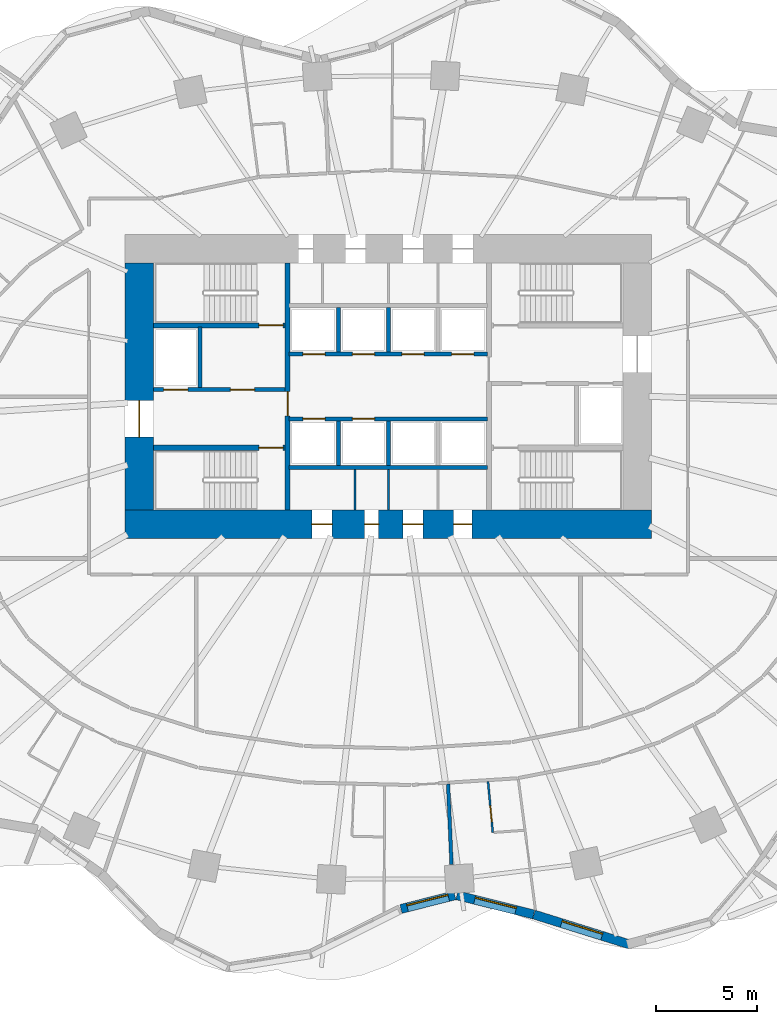
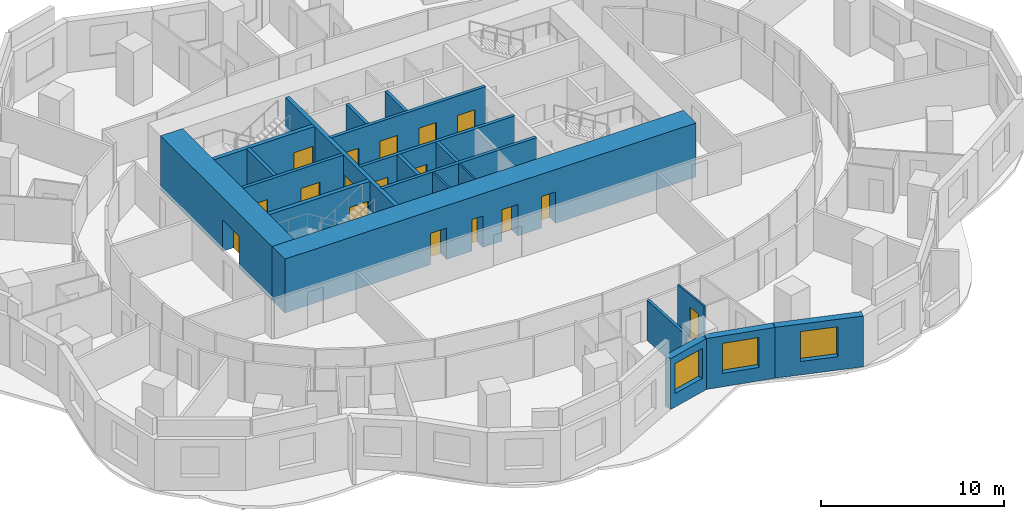
# One storey, part 5 of 11: 21 walls, 17 doors, 3 windows, 20 openings.
"""IFC4 building model written with IfcOpenShell, lengths in metres."""

from ifc_helpers import new_model, si_unit, direction, frame, frame_2d, origin, place, context, subcontext, project, spatial, rectangle, extrude, material, layer, layer_set, type_object, element, fill, save


model = new_model("IFC4")

# Units and contexts
model_context = context("Model", 3, precision=1e-05, world=origin(), true_north=direction((0.0, 1.0)))
body_context = subcontext(model_context, "Body", "Model", "MODEL_VIEW")
ifc_project = project(units=[si_unit("LENGTHUNIT", "METRE"), si_unit("AREAUNIT", "SQUARE_METRE"), si_unit("VOLUMEUNIT", "CUBIC_METRE"), si_unit("PLANEANGLEUNIT", "RADIAN"), si_unit("MASSUNIT", "GRAM", prefix="KILO")], contexts=[model_context])

# Site, building, storey
site_placement = place(None, origin())
site = spatial("IfcSite", under=ifc_project, at=site_placement, CompositionType="ELEMENT")
building_placement = place(site_placement, origin())
building = spatial("IfcBuilding", under=site, at=building_placement, Name="Rubra Terraces Tower", CompositionType="ELEMENT")
storey_placement = place(building_placement, frame((0.0, 0.0, 48.300048828125)))
storey = spatial("IfcBuildingStorey", under=building, at=storey_placement, Name="L09", CompositionType="ELEMENT", Elevation=48.300048828125)

# Wall
ifc_material_1 = material(Name="Twin plasterboard on staggered steel stud, acoustic mineral wool", Category="steel")
ifc_layer_1 = layer(ifc_material_1, 0.175048828125)
ifc_layer_set_1 = layer_set([ifc_layer_1], Name="Twin plasterboard on staggered steel stud, acoustic mineral wool")
wall_type_1 = type_object("IfcWallType", Name="ACOUSTIC PARTY WALL 175", PredefinedType="PARTITIONING", material=ifc_layer_set_1)
wall_1_placement = place(storey_placement, frame((3.12451171875, -19.126953125, 0.0), z_axis=(0.0, 0.0, 1.0), x_axis=(-0.042225344391, 0.999108112414, 0.0)))
element("IfcWall", 1, at=wall_1_placement, inside=storey, type_object=wall_type_1, Name="PARTITION", PredefinedType="PARTITIONING", context=body_context, shape_type="SweptSolid", body=[
    extrude(rectangle(XDim=3.97802734375, YDim=0.175048828125, at=frame_2d((1.989013671875, 0.0))), origin(), (0.0, 0.0, 1.0), 2.679931640625),
])

# Wall, opening, window
ifc_material_2 = material(Name="Brick masonry red-brown", Category="masonry")
ifc_layer_2 = layer(ifc_material_2, 0.449951171875)
ifc_layer_set_2 = layer_set([ifc_layer_2], Name="Brick masonry red-brown")
wall_type_2 = type_object("IfcWallType", Name="Brick facade wall 450", PredefinedType="SOLIDWALL", material=ifc_layer_set_2)
wall_2_placement = place(storey_placement, frame((0.62841796875, -21.318603515625, 0.0), z_axis=(0.0, 0.0, 1.0), x_axis=(0.969240543873, 0.246115355295, 0.0)))
wall_2 = element("IfcWall", 2, at=wall_2_placement, inside=storey, type_object=wall_type_2, Name="Facade wall L09 bay 31", PredefinedType="SOLIDWALL", context=body_context, shape_type="SweptSolid", body=[
    extrude(rectangle(XDim=2.742919921875, YDim=0.449951171875, at=frame_2d((1.37158203125, 0.0))), origin(), (0.0, 0.0, 1.0), 3.39990234375),
])
opening_1_placement = place(wall_2_placement, frame((0.3212890625, 0.0, 0.89990234375)))
opening_1 = element("IfcOpeningElement", 3, at=opening_1_placement, cuts=wall_2, Name="Opening W1", PredefinedType="OPENING", context=body_context, shape_type="SweptSolid", body=[
    extrude(rectangle(XDim=2.10009765625, YDim=2.0, at=frame_2d((1.050048828125, 1.0))), frame((0.0, 0.23486328125, 0.0), z_axis=(0.0, -1.0, 0.0), x_axis=(1.0, 0.0, 0.0)), (0.0, 0.0, 1.0), 0.469970703125),
])
ifc_material_3 = material(Name="Clear glass in aluminium frame", Category="aluminium")
window_type = type_object("IfcWindowType", Name="Fixed deep-set window 2100 x 2000", PartitioningType="SINGLE_PANEL", PredefinedType="WINDOW", material=ifc_material_3)
window_1_placement = place(opening_1_placement, origin())
window_1 = element("IfcWindow", 4, at=window_1_placement, inside=storey, type_object=window_type, Name="Window L09 bay 31", OverallHeight=2.0, OverallWidth=2.10009765625, PartitioningType="SINGLE_PANEL", PredefinedType="WINDOW", context=body_context, shape_type="SweptSolid", body=[
    extrude(rectangle(XDim=2.10009765625, YDim=2.0, at=frame_2d((1.050048828125, 1.0))), frame((0.0, 0.135009765625, 0.0), z_axis=(0.0, -1.0, 0.0), x_axis=(1.0, 0.0, 0.0)), (0.0, 0.0, 1.0), 0.06005859375),
])
fill(opening_1, window_1)

wall_3_placement = place(storey_placement, frame((3.39208984375, -20.64208984375, 0.0), z_axis=(0.0, 0.0, 1.0), x_axis=(0.970168229467, -0.242432684539, 0.0)))
wall_3 = element("IfcWall", 5, at=wall_3_placement, inside=storey, type_object=wall_type_2, Name="Facade wall L09 bay 32", PredefinedType="SOLIDWALL", context=body_context, shape_type="SweptSolid", body=[
    extrude(rectangle(XDim=3.90625, YDim=0.449951171875, at=frame_2d((1.953125, 0.0))), origin(), (0.0, 0.0, 1.0), 3.39990234375),
])
opening_2_placement = place(wall_3_placement, frame((0.9033203125, 0.0, 0.89990234375)))
opening_2 = element("IfcOpeningElement", 6, at=opening_2_placement, cuts=wall_3, Name="Opening W1", PredefinedType="OPENING", context=body_context, shape_type="SweptSolid", body=[
    extrude(rectangle(XDim=2.10009765625, YDim=2.0, at=frame_2d((1.050048828125, 1.0))), frame((0.0, 0.23486328125, 0.0), z_axis=(0.0, -1.0, 0.0), x_axis=(1.0, 0.0, 0.0)), (0.0, 0.0, 1.0), 0.469970703125),
])
window_2_placement = place(opening_2_placement, origin())
window_2 = element("IfcWindow", 7, at=window_2_placement, inside=storey, type_object=window_type, Name="Window L09 bay 32", OverallHeight=2.0, OverallWidth=2.10009765625, PartitioningType="SINGLE_PANEL", PredefinedType="WINDOW", context=body_context, shape_type="SweptSolid", body=[
    extrude(rectangle(XDim=2.10009765625, YDim=2.0, at=frame_2d((1.050048828125, 1.0))), frame((0.0, 0.135009765625, 0.0), z_axis=(0.0, -1.0, 0.0), x_axis=(1.0, 0.0, 0.0)), (0.0, 0.0, 1.0), 0.06005859375),
])
fill(opening_2, window_2)

wall_4_placement = place(storey_placement, frame((7.195556640625, -21.592529296875, 0.0), z_axis=(0.0, 0.0, 1.0), x_axis=(0.954471218741, -0.298303021432, 0.0)))
wall_4 = element("IfcWall", 8, at=wall_4_placement, inside=storey, type_object=wall_type_2, Name="Facade wall L09 bay 33", PredefinedType="SOLIDWALL", context=body_context, shape_type="SweptSolid", body=[
    extrude(rectangle(XDim=4.959716796875, YDim=0.449951171875, at=frame_2d((2.47998046875, 0.0))), origin(), (0.0, 0.0, 1.0), 3.39990234375),
])
opening_3_placement = place(wall_4_placement, frame((1.4296875, 0.0, 0.89990234375)))
opening_3 = element("IfcOpeningElement", 9, at=opening_3_placement, cuts=wall_4, Name="Opening W1", PredefinedType="OPENING", context=body_context, shape_type="SweptSolid", body=[
    extrude(rectangle(XDim=2.10009765625, YDim=2.0, at=frame_2d((1.050048828125, 1.0))), frame((0.0, 0.23486328125, 0.0), z_axis=(0.0, -1.0, 0.0), x_axis=(1.0, 0.0, 0.0)), (0.0, 0.0, 1.0), 0.469970703125),
])
window_3_placement = place(opening_3_placement, origin())
window_3 = element("IfcWindow", 10, at=window_3_placement, inside=storey, type_object=window_type, Name="Window L09 bay 33", OverallHeight=2.0, OverallWidth=2.10009765625, PartitioningType="SINGLE_PANEL", PredefinedType="WINDOW", context=body_context, shape_type="SweptSolid", body=[
    extrude(rectangle(XDim=2.10009765625, YDim=2.0, at=frame_2d((1.050048828125, 1.0))), frame((0.0, 0.135009765625, 0.0), z_axis=(0.0, -1.0, 0.0), x_axis=(1.0, 0.0, 0.0)), (0.0, 0.0, 1.0), 0.06005859375),
])
fill(opening_3, window_3)

# Wall, openings, doors
ifc_material_4 = material(Name="Concrete C70", Category="concrete")
ifc_layer_3 = layer(ifc_material_4, 1.39990234375)
ifc_layer_set_3 = layer_set([ifc_layer_3], Name="Concrete C70")
wall_type_3 = type_object("IfcWallType", Name="CORE WALL 1400 C70", PredefinedType="SHEAR", material=ifc_layer_set_3)
wall_5_placement = place(storey_placement, frame((-13.0, -2.300048828125, 0.0), z_axis=(0.0, 0.0, 1.0), x_axis=(1.0, 0.0, 0.0)))
wall_5 = element("IfcWall", 11, at=wall_5_placement, inside=storey, type_object=wall_type_3, Name="CORE WALL S L09", PredefinedType="SHEAR", context=body_context, shape_type="SweptSolid", body=[
    extrude(rectangle(XDim=26.0, YDim=1.39990234375, at=frame_2d((13.0, 0.0))), origin(), (0.0, 0.0, 1.0), 3.599853515625),
])
opening_4_placement = place(wall_5_placement, frame((9.22509765625, 0.0, 0.0)))
opening_4 = element("IfcOpeningElement", 12, at=opening_4_placement, cuts=wall_5, Name="Opening L09.C19", PredefinedType="OPENING", context=body_context, shape_type="SweptSolid", body=[
    extrude(rectangle(XDim=1.0, YDim=2.10009765625, at=frame_2d((0.5, 1.050048828125))), frame((0.0, 0.7099609375, 0.0), z_axis=(0.0, -1.0, 0.0), x_axis=(1.0, 0.0, 0.0)), (0.0, 0.0, 1.0), 1.419921875),
])
opening_5_placement = place(wall_5_placement, frame((11.824951171875, 0.0, 0.0)))
opening_5 = element("IfcOpeningElement", 13, at=opening_5_placement, cuts=wall_5, Name="Opening L09.C20", PredefinedType="OPENING", context=body_context, shape_type="SweptSolid", body=[
    extrude(rectangle(XDim=0.699951171875, YDim=2.10009765625, at=frame_2d((0.35009765625, 1.050048828125))), frame((0.0, 0.7099609375, 0.0), z_axis=(0.0, -1.0, 0.0), x_axis=(1.0, 0.0, 0.0)), (0.0, 0.0, 1.0), 1.419921875),
])
opening_6_placement = place(wall_5_placement, frame((13.72509765625, 0.0, 0.0)))
opening_6 = element("IfcOpeningElement", 14, at=opening_6_placement, cuts=wall_5, Name="Opening L09.C21", PredefinedType="OPENING", context=body_context, shape_type="SweptSolid", body=[
    extrude(rectangle(XDim=1.0, YDim=2.10009765625, at=frame_2d((0.5, 1.050048828125))), frame((0.0, 0.7099609375, 0.0), z_axis=(0.0, -1.0, 0.0), x_axis=(1.0, 0.0, 0.0)), (0.0, 0.0, 1.0), 1.419921875),
])
opening_7_placement = place(wall_5_placement, frame((16.22509765625, 0.0, 0.0)))
opening_7 = element("IfcOpeningElement", 15, at=opening_7_placement, cuts=wall_5, Name="Opening L09.C22", PredefinedType="OPENING", context=body_context, shape_type="SweptSolid", body=[
    extrude(rectangle(XDim=0.89990234375, YDim=2.10009765625, at=frame_2d((0.449951171875, 1.050048828125))), frame((0.0, 0.7099609375, 0.0), z_axis=(0.0, -1.0, 0.0), x_axis=(1.0, 0.0, 0.0)), (0.0, 0.0, 1.0), 1.419921875),
])
ifc_material_5 = material(Name="Painted steel", Category="steel")
door_type_1 = type_object("IfcDoorType", Name="Fire door 1000x2100 single", OperationType="NOTDEFINED", PredefinedType="DOOR", material=ifc_material_5)
door_1_placement = place(opening_4_placement, origin())
door_1 = element("IfcDoor", 16, at=door_1_placement, inside=storey, type_object=door_type_1, Name="Linen store door", OperationType="SINGLE_SWING_LEFT", OverallHeight=2.10009765625, OverallWidth=1.0, PredefinedType="DOOR", context=body_context, shape_type="SweptSolid", body=[
    extrude(rectangle(XDim=1.0, YDim=2.10009765625, at=frame_2d((0.5, 1.050048828125))), frame((0.0, 0.02490234375, 0.0), z_axis=(0.0, -1.0, 0.0), x_axis=(1.0, 0.0, 0.0)), (0.0, 0.0, 1.0), 0.050048828125),
])
fill(opening_4, door_1)
door_2_placement = place(opening_6_placement, origin())
door_2 = element("IfcDoor", 17, at=door_2_placement, inside=storey, type_object=door_type_1, Name="Ice and vending room door", OperationType="SINGLE_SWING_LEFT", OverallHeight=2.10009765625, OverallWidth=1.0, PredefinedType="DOOR", context=body_context, shape_type="SweptSolid", body=[
    extrude(rectangle(XDim=1.0, YDim=2.10009765625, at=frame_2d((0.5, 1.050048828125))), frame((0.0, 0.02490234375, 0.0), z_axis=(0.0, -1.0, 0.0), x_axis=(1.0, 0.0, 0.0)), (0.0, 0.0, 1.0), 0.050048828125),
])
fill(opening_6, door_2)
door_type_2 = type_object("IfcDoorType", Name="Fire door 900x2100 single", OperationType="NOTDEFINED", PredefinedType="DOOR", material=ifc_material_5)
door_3_placement = place(opening_7_placement, origin())
door_3 = element("IfcDoor", 18, at=door_3_placement, inside=storey, type_object=door_type_2, Name="Cleaner's store door", OperationType="SINGLE_SWING_RIGHT", OverallHeight=2.10009765625, OverallWidth=0.89990234375, PredefinedType="DOOR", context=body_context, shape_type="SweptSolid", body=[
    extrude(rectangle(XDim=0.89990234375, YDim=2.10009765625, at=frame_2d((0.449951171875, 1.050048828125))), frame((0.0, 0.02490234375, 0.0), z_axis=(0.0, -1.0, 0.0), x_axis=(1.0, 0.0, 0.0)), (0.0, 0.0, 1.0), 0.050048828125),
])
fill(opening_7, door_3)
door_type_3 = type_object("IfcDoorType", Name="Riser access door 700x2100 single", OperationType="NOTDEFINED", PredefinedType="DOOR", material=ifc_material_5)
door_4_placement = place(opening_5_placement, origin())
door_4 = element("IfcDoor", 19, at=door_4_placement, inside=storey, type_object=door_type_3, Name="Telecoms room door", OperationType="SINGLE_SWING_RIGHT", OverallHeight=2.10009765625, OverallWidth=0.699951171875, PredefinedType="DOOR", context=body_context, shape_type="SweptSolid", body=[
    extrude(rectangle(XDim=0.699951171875, YDim=2.10009765625, at=frame_2d((0.35009765625, 1.050048828125))), frame((0.0, 0.02490234375, 0.0), z_axis=(0.0, -1.0, 0.0), x_axis=(1.0, 0.0, 0.0)), (0.0, 0.0, 1.0), 0.050048828125),
])
fill(opening_5, door_4)

# Wall, opening, door
wall_6_placement = place(storey_placement, frame((-12.300048828125, -1.60009765625, 0.0), z_axis=(0.0, 0.0, 1.0), x_axis=(0.0, 1.0, 0.0)))
wall_6 = element("IfcWall", 20, at=wall_6_placement, inside=storey, type_object=wall_type_3, Name="CORE WALL W L09", PredefinedType="SHEAR", context=body_context, shape_type="SweptSolid", body=[
    extrude(rectangle(XDim=12.2001953125, YDim=1.39990234375, at=frame_2d((6.10009765625, 0.0))), origin(), (0.0, 0.0, 1.0), 3.599853515625),
])
opening_8_placement = place(wall_6_placement, frame((3.60009765625, 0.0, 0.0)))
opening_8 = element("IfcOpeningElement", 21, at=opening_8_placement, cuts=wall_6, Name="Opening L09.C01", PredefinedType="OPENING", context=body_context, shape_type="SweptSolid", body=[
    extrude(rectangle(XDim=1.800048828125, YDim=2.10009765625, at=frame_2d((0.89990234375, 1.050048828125))), frame((0.0, 0.7099609375, 0.0), z_axis=(0.0, -1.0, 0.0), x_axis=(1.0, 0.0, 0.0)), (0.0, 0.0, 1.0), 1.419921875),
])
door_type_4 = type_object("IfcDoorType", Name="Fire door 1800x2100 double", OperationType="NOTDEFINED", PredefinedType="DOOR", material=ifc_material_5)
door_5_placement = place(opening_8_placement, origin())
door_5 = element("IfcDoor", 22, at=door_5_placement, inside=storey, type_object=door_type_4, Name="Core entrance door FF1", OperationType="DOUBLE_DOOR_SINGLE_SWING", OverallHeight=2.10009765625, OverallWidth=1.800048828125, PredefinedType="DOOR", context=body_context, shape_type="SweptSolid", body=[
    extrude(rectangle(XDim=1.800048828125, YDim=2.10009765625, at=frame_2d((0.89990234375, 1.050048828125))), frame((0.0, 0.02490234375, 0.0), z_axis=(0.0, -1.0, 0.0), x_axis=(1.0, 0.0, 0.0)), (0.0, 0.0, 1.0), 0.050048828125),
])
fill(opening_8, door_5)

# Wall, openings, doors
ifc_material_6 = material(Name="Concrete C30", Category="concrete")
ifc_layer_4 = layer(ifc_material_6, 0.199951171875)
ifc_layer_set_4 = layer_set([ifc_layer_4], Name="Concrete C30")
wall_type_4 = type_object("IfcWallType", Name="Core wall 200 concrete", PredefinedType="SOLIDWALL", material=ifc_layer_set_4)
wall_7_placement = place(storey_placement, frame((-11.60009765625, 4.35009765625, 0.0), z_axis=(0.0, 0.0, 1.0), x_axis=(1.0, 0.0, 0.0)))
wall_7 = element("IfcWall", 23, at=wall_7_placement, inside=storey, type_object=wall_type_4, Name="STAIR WALL L09", PredefinedType="SOLIDWALL", context=body_context, shape_type="SweptSolid", body=[
    extrude(rectangle(XDim=6.5, YDim=0.199951171875, at=frame_2d((3.25, 0.0))), origin(), (0.0, 0.0, 1.0), 3.39990234375),
])
opening_9_placement = place(wall_7_placement, frame((3.800048828125, 0.0, 0.0)))
opening_9 = element("IfcOpeningElement", 24, at=opening_9_placement, cuts=wall_7, Name="Opening L09.C05", PredefinedType="OPENING", context=body_context, shape_type="SweptSolid", body=[
    extrude(rectangle(XDim=1.199951171875, YDim=2.10009765625, at=frame_2d((0.60009765625, 1.050048828125))), frame((0.0, 0.10986328125, 0.0), z_axis=(0.0, -1.0, 0.0), x_axis=(1.0, 0.0, 0.0)), (0.0, 0.0, 1.0), 0.219970703125),
])
opening_10_placement = place(wall_7_placement, frame((0.5, 0.0, 0.0)))
opening_10 = element("IfcOpeningElement", 25, at=opening_10_placement, cuts=wall_7, Name="Opening L09.C11", PredefinedType="OPENING", context=body_context, shape_type="SweptSolid", body=[
    extrude(rectangle(XDim=1.199951171875, YDim=2.10009765625, at=frame_2d((0.60009765625, 1.050048828125))), frame((0.0, 0.10986328125, 0.0), z_axis=(0.0, -1.0, 0.0), x_axis=(1.0, 0.0, 0.0)), (0.0, 0.0, 1.0), 0.219970703125),
])
door_type_5 = type_object("IfcDoorType", Name="Fire door 1200x2100 single", OperationType="NOTDEFINED", PredefinedType="DOOR", material=ifc_material_5)
door_6_placement = place(opening_9_placement, origin())
door_6 = element("IfcDoor", 26, at=door_6_placement, inside=storey, type_object=door_type_5, Name="Stair vestibule door S2", OperationType="SINGLE_SWING_LEFT", OverallHeight=2.10009765625, OverallWidth=1.199951171875, PredefinedType="DOOR", context=body_context, shape_type="SweptSolid", body=[
    extrude(rectangle(XDim=1.199951171875, YDim=2.10009765625, at=frame_2d((0.60009765625, 1.050048828125))), frame((0.0, 0.02490234375, 0.0), z_axis=(0.0, -1.0, 0.0), x_axis=(1.0, 0.0, 0.0)), (0.0, 0.0, 1.0), 0.050048828125),
])
fill(opening_9, door_6)
ifc_material_7 = material(Name="Stainless steel", Category="steel")
door_type_6 = type_object("IfcDoorType", Name="Lift landing door 1200x2100", OperationType="NOTDEFINED", PredefinedType="DOOR", material=ifc_material_7)
door_7_placement = place(opening_10_placement, origin())
door_7 = element("IfcDoor", 27, at=door_7_placement, inside=storey, type_object=door_type_6, Name="Landing door FF1", OperationType="SLIDING_TO_RIGHT", OverallHeight=2.10009765625, OverallWidth=1.199951171875, PredefinedType="DOOR", context=body_context, shape_type="SweptSolid", body=[
    extrude(rectangle(XDim=1.199951171875, YDim=2.10009765625, at=frame_2d((0.60009765625, 1.050048828125))), frame((0.0, 0.02490234375, 0.0), z_axis=(0.0, -1.0, 0.0), x_axis=(1.0, 0.0, 0.0)), (0.0, 0.0, 1.0), 0.050048828125),
])
fill(opening_10, door_7)

# Walls
wall_8_placement = place(storey_placement, frame((-9.300048828125, 4.449951171875, 0.0), z_axis=(0.0, 0.0, 1.0), x_axis=(0.0, 1.0, 0.0)))
element("IfcWall", 28, at=wall_8_placement, inside=storey, type_object=wall_type_4, Name="STAIR WALL L09", PredefinedType="SOLIDWALL", context=body_context, shape_type="SweptSolid", body=[
    extrude(rectangle(XDim=3.0, YDim=0.199951171875, at=frame_2d((1.5, 0.0))), origin(), (0.0, 0.0, 1.0), 3.39990234375),
])
wall_9_placement = place(storey_placement, frame((-4.89990234375, 0.5, 0.0), z_axis=(0.0, 0.0, 1.0), x_axis=(1.0, 0.0, 0.0)))
element("IfcWall", 29, at=wall_9_placement, inside=storey, type_object=wall_type_4, Name="LIFT SHAFT WALL L09", PredefinedType="SOLIDWALL", context=body_context, shape_type="SweptSolid", body=[
    extrude(rectangle(XDim=9.7998046875, YDim=0.199951171875, at=frame_2d((4.89990234375, 0.0))), origin(), (0.0, 0.0, 1.0), 3.39990234375),
])

# Wall, openings, doors
wall_10_placement = place(storey_placement, frame((-4.89990234375, 2.89990234375, 0.0), z_axis=(0.0, 0.0, 1.0), x_axis=(1.0, 0.0, 0.0)))
wall_10 = element("IfcWall", 30, at=wall_10_placement, inside=storey, type_object=wall_type_4, Name="LIFT SHAFT WALL L09", PredefinedType="SOLIDWALL", context=body_context, shape_type="SweptSolid", body=[
    extrude(rectangle(XDim=9.7998046875, YDim=0.199951171875, at=frame_2d((4.89990234375, 0.0))), origin(), (0.0, 0.0, 1.0), 3.39990234375),
])
opening_11_placement = place(wall_10_placement, frame((0.675048828125, 0.0, 0.0)))
opening_11 = element("IfcOpeningElement", 31, at=opening_11_placement, cuts=wall_10, Name="Opening L09.C13", PredefinedType="OPENING", context=body_context, shape_type="SweptSolid", body=[
    extrude(rectangle(XDim=1.10009765625, YDim=2.10009765625, at=frame_2d((0.550048828125, 1.050048828125))), frame((0.0, 0.10986328125, 0.0), z_axis=(0.0, -1.0, 0.0), x_axis=(1.0, 0.0, 0.0)), (0.0, 0.0, 1.0), 0.219970703125),
])
opening_12_placement = place(wall_10_placement, frame((3.125, 0.0, 0.0)))
opening_12 = element("IfcOpeningElement", 32, at=opening_12_placement, cuts=wall_10, Name="Opening L09.C14", PredefinedType="OPENING", context=body_context, shape_type="SweptSolid", body=[
    extrude(rectangle(XDim=1.10009765625, YDim=2.10009765625, at=frame_2d((0.550048828125, 1.050048828125))), frame((0.0, 0.10986328125, 0.0), z_axis=(0.0, -1.0, 0.0), x_axis=(1.0, 0.0, 0.0)), (0.0, 0.0, 1.0), 0.219970703125),
])
door_type_7 = type_object("IfcDoorType", Name="Lift landing door 1100x2100", OperationType="NOTDEFINED", PredefinedType="DOOR", material=ifc_material_7)
door_8_placement = place(opening_11_placement, origin())
door_8 = element("IfcDoor", 33, at=door_8_placement, inside=storey, type_object=door_type_7, Name="Landing door LB1", OperationType="SLIDING_TO_RIGHT", OverallHeight=2.10009765625, OverallWidth=1.10009765625, PredefinedType="DOOR", context=body_context, shape_type="SweptSolid", body=[
    extrude(rectangle(XDim=1.10009765625, YDim=2.10009765625, at=frame_2d((0.550048828125, 1.050048828125))), frame((0.0, 0.02490234375, 0.0), z_axis=(0.0, -1.0, 0.0), x_axis=(1.0, 0.0, 0.0)), (0.0, 0.0, 1.0), 0.050048828125),
])
fill(opening_11, door_8)
door_9_placement = place(opening_12_placement, origin())
door_9 = element("IfcDoor", 34, at=door_9_placement, inside=storey, type_object=door_type_7, Name="Landing door LB2", OperationType="SLIDING_TO_LEFT", OverallHeight=2.10009765625, OverallWidth=1.10009765625, PredefinedType="DOOR", context=body_context, shape_type="SweptSolid", body=[
    extrude(rectangle(XDim=1.10009765625, YDim=2.10009765625, at=frame_2d((0.550048828125, 1.050048828125))), frame((0.0, 0.02490234375, 0.0), z_axis=(0.0, -1.0, 0.0), x_axis=(1.0, 0.0, 0.0)), (0.0, 0.0, 1.0), 0.050048828125),
])
fill(opening_12, door_9)

wall_11_placement = place(storey_placement, frame((-4.89990234375, 6.10009765625, 0.0), z_axis=(0.0, 0.0, 1.0), x_axis=(1.0, 0.0, 0.0)))
wall_11 = element("IfcWall", 35, at=wall_11_placement, inside=storey, type_object=wall_type_4, Name="LIFT SHAFT WALL L09", PredefinedType="SOLIDWALL", context=body_context, shape_type="SweptSolid", body=[
    extrude(rectangle(XDim=9.7998046875, YDim=0.199951171875, at=frame_2d((4.89990234375, 0.0))), origin(), (0.0, 0.0, 1.0), 3.39990234375),
])
opening_13_placement = place(wall_11_placement, frame((0.675048828125, 0.0, 0.0)))
opening_13 = element("IfcOpeningElement", 36, at=opening_13_placement, cuts=wall_11, Name="Opening L09.C15", PredefinedType="OPENING", context=body_context, shape_type="SweptSolid", body=[
    extrude(rectangle(XDim=1.10009765625, YDim=2.10009765625, at=frame_2d((0.550048828125, 1.050048828125))), frame((0.0, 0.10986328125, 0.0), z_axis=(0.0, -1.0, 0.0), x_axis=(1.0, 0.0, 0.0)), (0.0, 0.0, 1.0), 0.219970703125),
])
opening_14_placement = place(wall_11_placement, frame((3.125, 0.0, 0.0)))
opening_14 = element("IfcOpeningElement", 37, at=opening_14_placement, cuts=wall_11, Name="Opening L09.C16", PredefinedType="OPENING", context=body_context, shape_type="SweptSolid", body=[
    extrude(rectangle(XDim=1.10009765625, YDim=2.10009765625, at=frame_2d((0.550048828125, 1.050048828125))), frame((0.0, 0.10986328125, 0.0), z_axis=(0.0, -1.0, 0.0), x_axis=(1.0, 0.0, 0.0)), (0.0, 0.0, 1.0), 0.219970703125),
])
opening_15_placement = place(wall_11_placement, frame((5.574951171875, 0.0, 0.0)))
opening_15 = element("IfcOpeningElement", 38, at=opening_15_placement, cuts=wall_11, Name="Opening L09.C17", PredefinedType="OPENING", context=body_context, shape_type="SweptSolid", body=[
    extrude(rectangle(XDim=1.10009765625, YDim=2.10009765625, at=frame_2d((0.550048828125, 1.050048828125))), frame((0.0, 0.10986328125, 0.0), z_axis=(0.0, -1.0, 0.0), x_axis=(1.0, 0.0, 0.0)), (0.0, 0.0, 1.0), 0.219970703125),
])
opening_16_placement = place(wall_11_placement, frame((8.02490234375, 0.0, 0.0)))
opening_16 = element("IfcOpeningElement", 39, at=opening_16_placement, cuts=wall_11, Name="Opening L09.C18", PredefinedType="OPENING", context=body_context, shape_type="SweptSolid", body=[
    extrude(rectangle(XDim=1.10009765625, YDim=2.10009765625, at=frame_2d((0.550048828125, 1.050048828125))), frame((0.0, 0.10986328125, 0.0), z_axis=(0.0, -1.0, 0.0), x_axis=(1.0, 0.0, 0.0)), (0.0, 0.0, 1.0), 0.219970703125),
])
door_10_placement = place(opening_13_placement, origin())
door_10 = element("IfcDoor", 40, at=door_10_placement, inside=storey, type_object=door_type_7, Name="Landing door LB3", OperationType="SLIDING_TO_RIGHT", OverallHeight=2.10009765625, OverallWidth=1.10009765625, PredefinedType="DOOR", context=body_context, shape_type="SweptSolid", body=[
    extrude(rectangle(XDim=1.10009765625, YDim=2.10009765625, at=frame_2d((0.550048828125, 1.050048828125))), frame((0.0, 0.02490234375, 0.0), z_axis=(0.0, -1.0, 0.0), x_axis=(1.0, 0.0, 0.0)), (0.0, 0.0, 1.0), 0.050048828125),
])
fill(opening_13, door_10)
door_11_placement = place(opening_14_placement, origin())
door_11 = element("IfcDoor", 41, at=door_11_placement, inside=storey, type_object=door_type_7, Name="Landing door LB4", OperationType="SLIDING_TO_LEFT", OverallHeight=2.10009765625, OverallWidth=1.10009765625, PredefinedType="DOOR", context=body_context, shape_type="SweptSolid", body=[
    extrude(rectangle(XDim=1.10009765625, YDim=2.10009765625, at=frame_2d((0.550048828125, 1.050048828125))), frame((0.0, 0.02490234375, 0.0), z_axis=(0.0, -1.0, 0.0), x_axis=(1.0, 0.0, 0.0)), (0.0, 0.0, 1.0), 0.050048828125),
])
fill(opening_14, door_11)
door_12_placement = place(opening_15_placement, origin())
door_12 = element("IfcDoor", 42, at=door_12_placement, inside=storey, type_object=door_type_7, Name="Landing door LB5", OperationType="SLIDING_TO_RIGHT", OverallHeight=2.10009765625, OverallWidth=1.10009765625, PredefinedType="DOOR", context=body_context, shape_type="SweptSolid", body=[
    extrude(rectangle(XDim=1.10009765625, YDim=2.10009765625, at=frame_2d((0.550048828125, 1.050048828125))), frame((0.0, 0.02490234375, 0.0), z_axis=(0.0, -1.0, 0.0), x_axis=(1.0, 0.0, 0.0)), (0.0, 0.0, 1.0), 0.050048828125),
])
fill(opening_15, door_12)
door_13_placement = place(opening_16_placement, origin())
door_13 = element("IfcDoor", 43, at=door_13_placement, inside=storey, type_object=door_type_7, Name="Landing door LB6", OperationType="SLIDING_TO_LEFT", OverallHeight=2.10009765625, OverallWidth=1.10009765625, PredefinedType="DOOR", context=body_context, shape_type="SweptSolid", body=[
    extrude(rectangle(XDim=1.10009765625, YDim=2.10009765625, at=frame_2d((0.550048828125, 1.050048828125))), frame((0.0, 0.02490234375, 0.0), z_axis=(0.0, -1.0, 0.0), x_axis=(1.0, 0.0, 0.0)), (0.0, 0.0, 1.0), 0.050048828125),
])
fill(opening_16, door_13)

# Walls
for number, where, z_axis, x_axis, name in (
    (44, (-2.449951171875, 0.60009765625, 0.0), (0.0, 0.0, 1.0), (0.0, 1.0, 0.0), "LIFT SHAFT WALL L09"),
    (45, (0.0, 0.60009765625, 0.0), (0.0, 0.0, 1.0), (0.0, 1.0, 0.0), "LIFT SHAFT WALL L09"),
    (46, (-2.449951171875, 6.199951171875, 0.0), (0.0, 0.0, 1.0), (0.0, 1.0, 0.0), "LIFT SHAFT WALL L09"),
    (47, (0.0, 6.199951171875, 0.0), (0.0, 0.0, 1.0), (0.0, 1.0, 0.0), "LIFT SHAFT WALL L09"),
):
    element("IfcWall", number, at=place(storey_placement, frame(where, z_axis=z_axis, x_axis=x_axis)), inside=storey, type_object=wall_type_4, Name=name, PredefinedType="SOLIDWALL", context=body_context, shape_type="SweptSolid", body=[
        extrude(rectangle(XDim=2.199951171875, YDim=0.199951171875, at=frame_2d((1.10009765625, 0.0))), origin(), (0.0, 0.0, 1.0), 3.39990234375),
    ])

# Wall, opening, door
ifc_material_8 = material(Name="Plasterboard on steel stud", Category="steel")
ifc_layer_5 = layer(ifc_material_8, 0.10009765625)
ifc_layer_set_5 = layer_set([ifc_layer_5], Name="Plasterboard on steel stud")
wall_type_5 = type_object("IfcWallType", Name="ROOM PARTITION 100", PredefinedType="PARTITIONING", material=ifc_layer_set_5)
wall_12_placement = place(storey_placement, frame((4.930908203125, -15.02734375, 0.0), z_axis=(0.0, 0.0, 1.0), x_axis=(0.091956750327, -0.995763001958, 0.0)))
wall_12 = element("IfcWall", 48, at=wall_12_placement, inside=storey, type_object=wall_type_5, Name="PARTITION", PredefinedType="PARTITIONING", context=body_context, shape_type="SweptSolid", body=[
    extrude(rectangle(XDim=2.52490234375, YDim=0.10009765625, at=frame_2d((1.262451171875, 0.0))), origin(), (0.0, 0.0, 1.0), 2.933837890625),
])
opening_17_placement = place(wall_12_placement, frame((1.199951171875, 0.0, 0.0)))
opening_17 = element("IfcOpeningElement", 49, at=opening_17_placement, cuts=wall_12, Name="Opening 09-120", PredefinedType="OPENING", context=body_context, shape_type="SweptSolid", body=[
    extrude(rectangle(XDim=0.800048828125, YDim=2.10009765625, at=frame_2d((0.39990234375, 1.050048828125))), frame((0.0, 0.06005859375, 0.0), z_axis=(0.0, -1.0, 0.0), x_axis=(1.0, 0.0, 0.0)), (0.0, 0.0, 1.0), 0.1201171875),
])
ifc_material_9 = material(Name="Painted timber door leaf", Category="wood")
door_type_8 = type_object("IfcDoorType", Name="BATHROOM DOOR 800 X 2100", OperationType="SINGLE_SWING_LEFT", PredefinedType="DOOR", material=ifc_material_9)
door_14_placement = place(opening_17_placement, origin())
door_14 = element("IfcDoor", 50, at=door_14_placement, inside=storey, type_object=door_type_8, Name="DOOR 09-120", OperationType="SINGLE_SWING_LEFT", OverallHeight=2.10009765625, OverallWidth=0.800048828125, PredefinedType="DOOR", context=body_context, shape_type="SweptSolid", body=[
    extrude(rectangle(XDim=0.800048828125, YDim=2.10009765625, at=frame_2d((0.39990234375, 1.050048828125))), frame((0.0, 0.02490234375, 0.0), z_axis=(0.0, -1.0, 0.0), x_axis=(1.0, 0.0, 0.0)), (0.0, 0.0, 1.0), 0.050048828125),
])
fill(opening_17, door_14)

# Walls
ifc_material_10 = material(Name="Blockwork", Category="masonry")
ifc_layer_6 = layer(ifc_material_10, 0.10009765625)
ifc_layer_set_6 = layer_set([ifc_layer_6], Name="Blockwork")
wall_type_6 = type_object("IfcWallType", Name="Service partition 100 blockwork", PredefinedType="PARTITIONING", material=ifc_layer_set_6)
for number, where, z_axis, x_axis, name in (
    (51, (-1.64990234375, -1.60009765625, 0.0), (0.0, 0.0, 1.0), (0.0, 1.0, 0.0), "SERVICE ROOM PARTITION L09"),
    (52, (0.0, -1.60009765625, 0.0), (0.0, 0.0, 1.0), (0.0, 1.0, 0.0), "SERVICE ROOM PARTITION L09"),
):
    element("IfcWall", number, at=place(storey_placement, frame(where, z_axis=z_axis, x_axis=x_axis)), inside=storey, type_object=wall_type_6, Name=name, PredefinedType="PARTITIONING", context=body_context, shape_type="SweptSolid", body=[
        extrude(rectangle(XDim=2.0, YDim=0.10009765625, at=frame_2d((1.0, 0.0))), origin(), (0.0, 0.0, 1.0), 3.39990234375),
    ])

# Wall, opening, door
ifc_material_11 = material(Name="Concrete C40", Category="concrete")
ifc_layer_7 = layer(ifc_material_11, 0.25)
ifc_layer_set_7 = layer_set([ifc_layer_7], Name="Concrete C40")
wall_type_7 = type_object("IfcWallType", Name="Stair enclosure wall 250 concrete", PredefinedType="SOLIDWALL", material=ifc_layer_set_7)
wall_13_placement = place(storey_placement, frame((-11.60009765625, 1.47509765625, 0.0), z_axis=(0.0, 0.0, 1.0), x_axis=(1.0, 0.0, 0.0)))
wall_13 = element("IfcWall", 53, at=wall_13_placement, inside=storey, type_object=wall_type_7, Name="STAIR WALL L09", PredefinedType="SOLIDWALL", context=body_context, shape_type="SweptSolid", body=[
    extrude(rectangle(XDim=6.5, YDim=0.25, at=frame_2d((3.25, 0.0))), origin(), (0.0, 0.0, 1.0), 3.39990234375),
])
opening_18_placement = place(wall_13_placement, frame((5.199951171875, 0.0, 0.0)))
opening_18 = element("IfcOpeningElement", 54, at=opening_18_placement, cuts=wall_13, Name="Opening L09.C07", PredefinedType="OPENING", context=body_context, shape_type="SweptSolid", body=[
    extrude(rectangle(XDim=1.199951171875, YDim=2.10009765625, at=frame_2d((0.60009765625, 1.050048828125))), frame((0.0, 0.135009765625, 0.0), z_axis=(0.0, -1.0, 0.0), x_axis=(1.0, 0.0, 0.0)), (0.0, 0.0, 1.0), 0.27001953125),
])
door_15_placement = place(opening_18_placement, origin())
door_15 = element("IfcDoor", 55, at=door_15_placement, inside=storey, type_object=door_type_5, Name="Stair door S1", OperationType="SINGLE_SWING_LEFT", OverallHeight=2.10009765625, OverallWidth=1.199951171875, PredefinedType="DOOR", context=body_context, shape_type="SweptSolid", body=[
    extrude(rectangle(XDim=1.199951171875, YDim=2.10009765625, at=frame_2d((0.60009765625, 1.050048828125))), frame((0.0, 0.02490234375, 0.0), z_axis=(0.0, -1.0, 0.0), x_axis=(1.0, 0.0, 0.0)), (0.0, 0.0, 1.0), 0.050048828125),
])
fill(opening_18, door_15)

wall_14_placement = place(storey_placement, frame((-11.60009765625, 7.52490234375, 0.0), z_axis=(0.0, 0.0, 1.0), x_axis=(1.0, 0.0, 0.0)))
wall_14 = element("IfcWall", 56, at=wall_14_placement, inside=storey, type_object=wall_type_7, Name="STAIR WALL L09", PredefinedType="SOLIDWALL", context=body_context, shape_type="SweptSolid", body=[
    extrude(rectangle(XDim=6.5, YDim=0.25, at=frame_2d((3.25, 0.0))), origin(), (0.0, 0.0, 1.0), 3.39990234375),
])
opening_19_placement = place(wall_14_placement, frame((5.199951171875, 0.0, 0.0)))
opening_19 = element("IfcOpeningElement", 57, at=opening_19_placement, cuts=wall_14, Name="Opening L09.C09", PredefinedType="OPENING", context=body_context, shape_type="SweptSolid", body=[
    extrude(rectangle(XDim=1.199951171875, YDim=2.10009765625, at=frame_2d((0.60009765625, 1.050048828125))), frame((0.0, 0.135009765625, 0.0), z_axis=(0.0, -1.0, 0.0), x_axis=(1.0, 0.0, 0.0)), (0.0, 0.0, 1.0), 0.27001953125),
])
door_16_placement = place(opening_19_placement, origin())
door_16 = element("IfcDoor", 58, at=door_16_placement, inside=storey, type_object=door_type_5, Name="Stair door S2", OperationType="SINGLE_SWING_LEFT", OverallHeight=2.10009765625, OverallWidth=1.199951171875, PredefinedType="DOOR", context=body_context, shape_type="SweptSolid", body=[
    extrude(rectangle(XDim=1.199951171875, YDim=2.10009765625, at=frame_2d((0.60009765625, 1.050048828125))), frame((0.0, 0.02490234375, 0.0), z_axis=(0.0, -1.0, 0.0), x_axis=(1.0, 0.0, 0.0)), (0.0, 0.0, 1.0), 0.050048828125),
])
fill(opening_19, door_16)

wall_15_placement = place(storey_placement, frame((-4.97509765625, -1.60009765625, 0.0), z_axis=(0.0, 0.0, 1.0), x_axis=(0.0, 1.0, 0.0)))
wall_15 = element("IfcWall", 59, at=wall_15_placement, inside=storey, type_object=wall_type_7, Name="CORE LOBBY WALL L09", PredefinedType="SOLIDWALL", context=body_context, shape_type="SweptSolid", body=[
    extrude(rectangle(XDim=12.2001953125, YDim=0.25, at=frame_2d((6.10009765625, 0.0))), origin(), (0.0, 0.0, 1.0), 3.39990234375),
])
opening_20_placement = place(wall_15_placement, frame((4.64990234375, 0.0, 0.0)))
opening_20 = element("IfcOpeningElement", 60, at=opening_20_placement, cuts=wall_15, Name="Opening L09.C03", PredefinedType="OPENING", context=body_context, shape_type="SweptSolid", body=[
    extrude(rectangle(XDim=1.199951171875, YDim=2.10009765625, at=frame_2d((0.60009765625, 1.050048828125))), frame((0.0, 0.135009765625, 0.0), z_axis=(0.0, -1.0, 0.0), x_axis=(1.0, 0.0, 0.0)), (0.0, 0.0, 1.0), 0.27001953125),
])
door_17_placement = place(opening_20_placement, origin())
door_17 = element("IfcDoor", 61, at=door_17_placement, inside=storey, type_object=door_type_5, Name="Firefighting lobby door FF1", OperationType="SINGLE_SWING_LEFT", OverallHeight=2.10009765625, OverallWidth=1.199951171875, PredefinedType="DOOR", context=body_context, shape_type="SweptSolid", body=[
    extrude(rectangle(XDim=1.199951171875, YDim=2.10009765625, at=frame_2d((0.60009765625, 1.050048828125))), frame((0.0, 0.02490234375, 0.0), z_axis=(0.0, -1.0, 0.0), x_axis=(1.0, 0.0, 0.0)), (0.0, 0.0, 1.0), 0.050048828125),
])
fill(opening_20, door_17)

save(model, "model.ifc")
